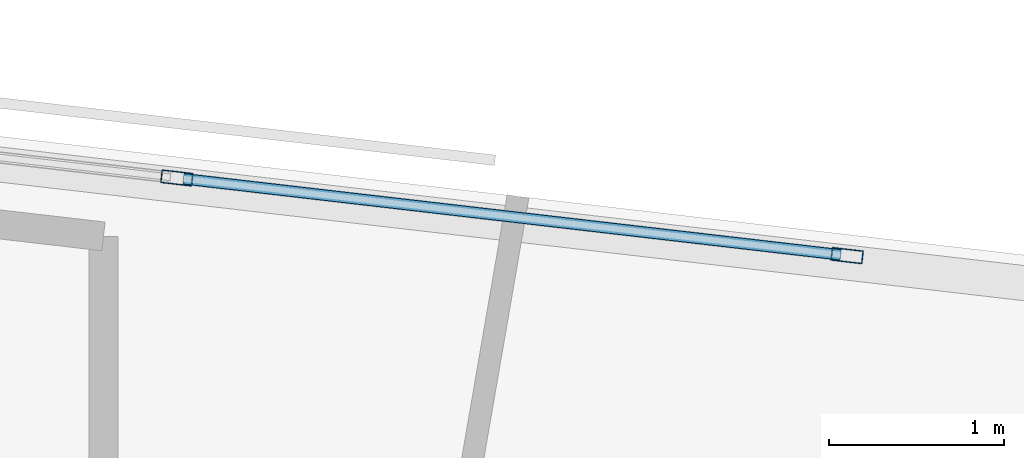
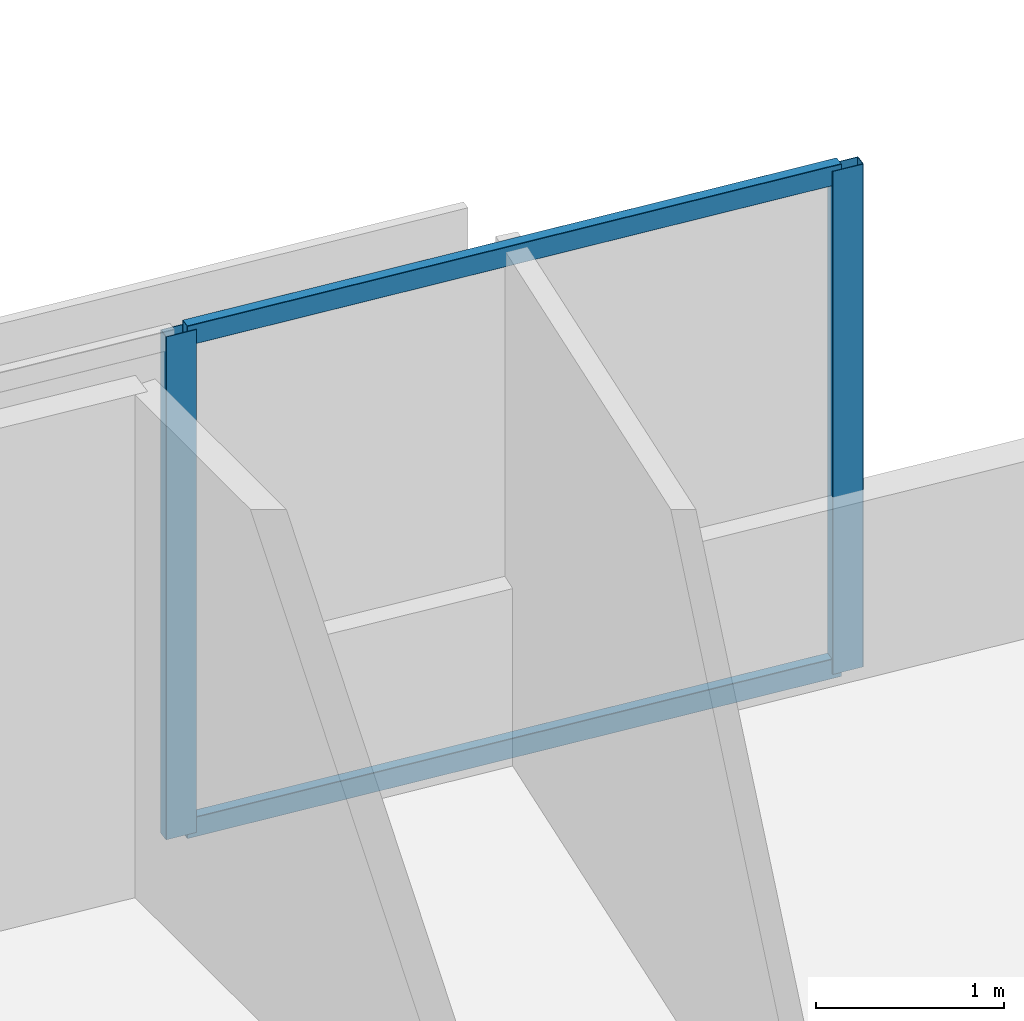
# One storey, part 2 of 14: 4 members, 1 element without a shape of its own.
"""IFC4 building model written with IfcOpenShell, lengths in metres."""

from ifc_helpers import new_model, si_unit, direction, frame, origin, origin_2d, place, context, subcontext, project, spatial, hollow_rectangle, extrude, material, material_profile, profile_set, type_object, element, aggregate, save


model = new_model("IFC4")

# Units and contexts
model_context = context("Model", 3, precision=1e-05, world=origin(), true_north=direction((0.0, 1.0)))
body_context = subcontext(model_context, "Body", "Model", "MODEL_VIEW")
ifc_project = project(units=[si_unit("LENGTHUNIT", "METRE"), si_unit("AREAUNIT", "SQUARE_METRE"), si_unit("VOLUMEUNIT", "CUBIC_METRE"), si_unit("PLANEANGLEUNIT", "RADIAN"), si_unit("MASSUNIT", "GRAM", prefix="KILO")], contexts=[model_context])

# Site, building, storey
site_placement = place(None, origin())
site = spatial("IfcSite", under=ifc_project, at=site_placement, CompositionType="ELEMENT")
building_placement = place(site_placement, origin())
building = spatial("IfcBuilding", under=site, at=building_placement, Name="Narakoshi Arena Tower", CompositionType="ELEMENT")
storey_placement = place(building_placement, frame((0.0, 0.0, 207.93994140625)))
storey = spatial("IfcBuildingStorey", under=building, at=storey_placement, Name="L56", CompositionType="ELEMENT", Elevation=207.93994140625)

# Curtain wall, members
ifc_material = material(Name="Anodised bronze aluminium 6063-T6", Category="aluminium")
curtain_wall_type = type_object("IfcCurtainWallType", Name="CW-HYP-MID", PredefinedType="NOTDEFINED", material=ifc_material)
curtain_wall_placement = place(storey_placement, origin())
curtain_wall = element("IfcCurtainWall", 1, at=curtain_wall_placement, inside=storey, type_object=curtain_wall_type, Name="L56 Folded Hypotenuse Curtain Wall 2-1", PredefinedType="NOTDEFINED")
ifc_material_profile_1 = material_profile(ifc_material, hollow_rectangle(XDim=0.074951171875, YDim=0.179931640625, WallThickness=0.00390625, OuterFilletRadius=0.0048828125, at=origin_2d()), Name="MUL180x75x4")
ifc_profile_set_1 = profile_set([ifc_material_profile_1], Name="Anodised bronze aluminium 6063-T6")
member_type_1 = type_object("IfcMemberType", Name="MEM-MUL-180", PredefinedType="MULLION", material=ifc_profile_set_1)
member_1_placement = place(storey_placement, frame((83.901611328125, 63.554931640625, 0.0), z_axis=(0.0, 0.0, 1.0), x_axis=(-0.115011296816, -0.993364183774, 0.0)))
member_1 = element("IfcMember", 2, at=member_1_placement, type_object=member_type_1, Name="CW-02 mullion 1", PredefinedType="MULLION", context=body_context, shape_type="SweptSolid", body=[
    extrude(hollow_rectangle(XDim=0.074951171875, YDim=0.179931640625, WallThickness=0.00390625, OuterFilletRadius=0.0048828125, at=origin_2d()), origin(), (0.0, 0.0, 1.0), 3.260009765625),
])
member_2_placement = place(storey_placement, frame((80.06982421875, 63.99853515625, 0.0), z_axis=(0.0, 0.0, 1.0), x_axis=(-0.115011296816, -0.993364183774, 0.0)))
member_2 = element("IfcMember", 3, at=member_2_placement, type_object=member_type_1, Name="CW-02 mullion 2", PredefinedType="MULLION", context=body_context, shape_type="SweptSolid", body=[
    extrude(hollow_rectangle(XDim=0.074951171875, YDim=0.179931640625, WallThickness=0.00390625, OuterFilletRadius=0.0048828125, at=origin_2d()), origin(), (0.0, 0.0, 1.0), 3.260009765625),
])
ifc_material_profile_2 = material_profile(ifc_material, hollow_rectangle(XDim=0.06494140625, YDim=0.1298828125, WallThickness=0.00390625, OuterFilletRadius=0.0048828125, at=origin_2d()), Name="TRN130x65x4")
ifc_profile_set_2 = profile_set([ifc_material_profile_2], Name="Anodised bronze aluminium 6063-T6")
member_type_2 = type_object("IfcMemberType", Name="MEM-TRN-130", PredefinedType="USERDEFINED", material=ifc_profile_set_2)
member_3_placement = place(storey_placement, frame((83.864501953125, 63.55908203125, 0.032470703125), z_axis=(-0.993363915753, 0.115013611713, 0.0), x_axis=(-0.115013611713, -0.993363915753, 0.0)))
member_3 = element("IfcMember", 4, at=member_3_placement, type_object=member_type_2, Name="CW-02 transom 1.1", ObjectType="TRANSOM", PredefinedType="USERDEFINED", context=body_context, shape_type="SweptSolid", body=[
    extrude(hollow_rectangle(XDim=0.06494140625, YDim=0.1298828125, WallThickness=0.00390625, OuterFilletRadius=0.0048828125, at=origin_2d()), origin(), (0.0, 0.0, 1.0), 3.78271484375),
])
member_4_placement = place(storey_placement, frame((83.864501953125, 63.55908203125, 3.2275390625), z_axis=(-0.993363915753, 0.115013611713, 0.0), x_axis=(-0.115013611713, -0.993363915753, 0.0)))
member_4 = element("IfcMember", 5, at=member_4_placement, type_object=member_type_2, Name="CW-02 transom 1.2", ObjectType="TRANSOM", PredefinedType="USERDEFINED", context=body_context, shape_type="SweptSolid", body=[
    extrude(hollow_rectangle(XDim=0.06494140625, YDim=0.1298828125, WallThickness=0.00390625, OuterFilletRadius=0.0048828125, at=origin_2d()), origin(), (0.0, 0.0, 1.0), 3.78271484375),
])
aggregate(curtain_wall, [member_1, member_2, member_3, member_4])

save(model, "model.ifc")
